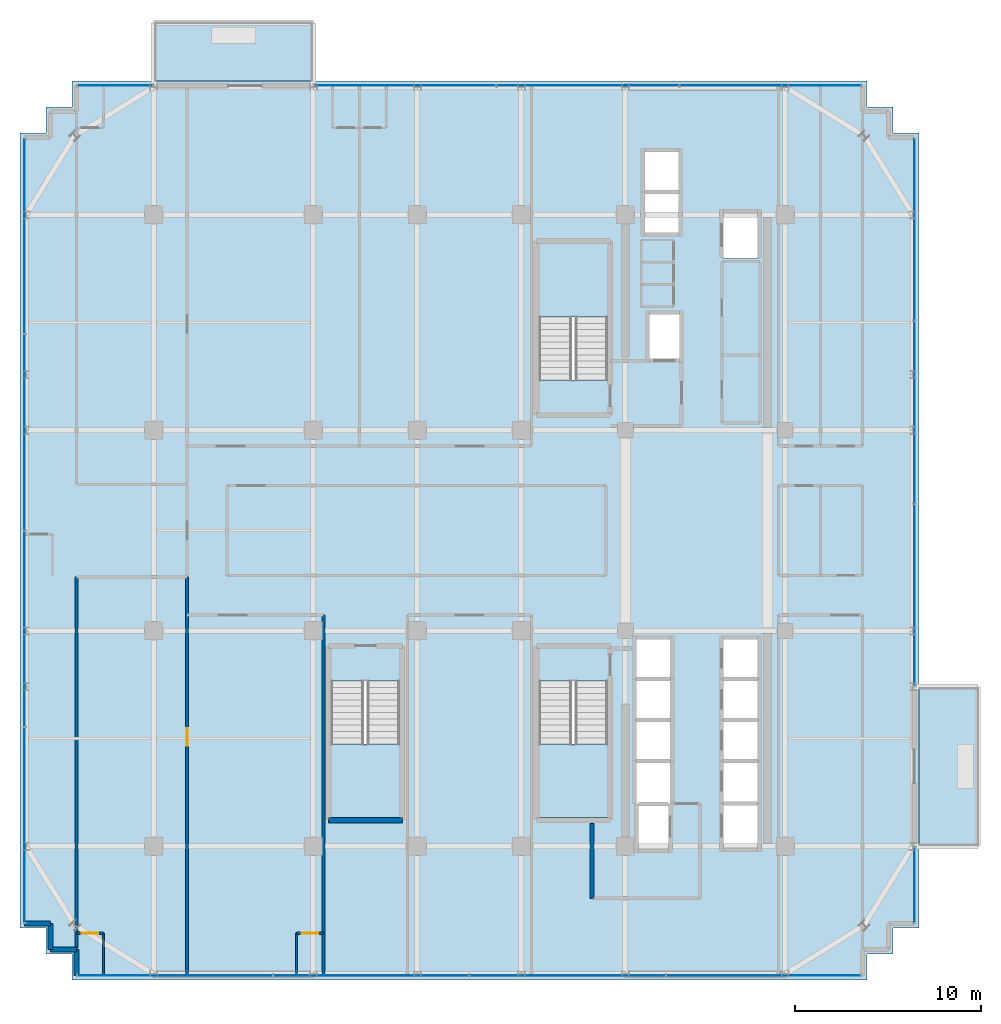
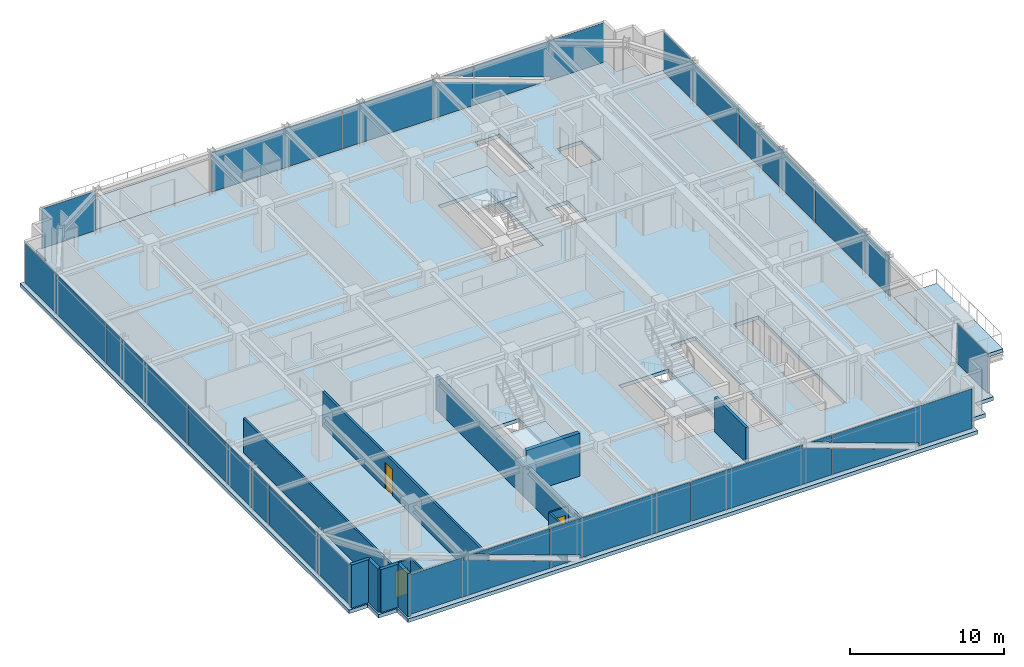
# One storey, part 29 of 36: 16 plates, 13 walls, 6 slabs, 3 doors, 3 openings, 9 elements without a shape of their own.
"""IFC4 building model written with IfcOpenShell, lengths in metres."""

import ifcopenshell
import ifcopenshell.guid

model = None  # the IFC model being written
_history = None  # IfcOwnerHistory: only IFC2X3 demands one
_inside = {}  # id of a spatial element -> (the spatial element, [elements in it])
_under = {}  # id of a project, library or spatial element -> (it, [spatial elements below it])
_declared = {}  # id of a project -> (the project, [libraries it declares])
_typed = {}  # id of a type object -> (the type object, [elements of that type])
_made_of = {}  # id of a material, layer set ... -> (it, [elements and type objects made of it])


def new_model(schema):
    """Start an empty IFC model of exactly this schema.

    Asked for "IFC4X3", IfcOpenShell would pick the latest addendum, in which some entities
    have other attributes; the version numbers below select the first issue.
    IFC2X3 requires an IfcOwnerHistory on every rooted entity: one is made here for all.
    """
    global model, _history
    if schema == "IFC4X3":
        model = ifcopenshell.file(schema_version=(4, 3, 0, 0))
    else:
        model = ifcopenshell.file(schema=schema)
    _inside.clear()
    _under.clear()
    _declared.clear()
    _typed.clear()
    _made_of.clear()
    _history = None
    if model.schema == "IFC2X3":
        org = make("IfcOrganization", Name="unknown")
        user = make(
            "IfcPersonAndOrganization",
            ThePerson=make("IfcPerson", FamilyName="unknown"),
            TheOrganization=org,
        )
        app = make(
            "IfcApplication",
            ApplicationDeveloper=org,
            Version="unknown",
            ApplicationFullName="unknown",
            ApplicationIdentifier="unknown",
        )
        _history = make(
            "IfcOwnerHistory",
            OwningUser=user,
            OwningApplication=app,
            ChangeAction="ADDED",
            CreationDate=0,
        )
    return model


def make(cls, **values):
    """One entity of the class cls with the attributes given. An attribute that is None is left unset."""
    return model.create_entity(
        cls, **{name: value for name, value in values.items() if value is not None}
    )


def rooted(cls, **values):
    """An entity with a GlobalId (a new one), such as an element, a storey or a relation."""
    return make(cls, GlobalId=ifcopenshell.guid.new(), OwnerHistory=_history, **values)


def si_unit(unit_type, name, prefix=None):
    """IfcSIUnit, for example si_unit("LENGTHUNIT", "METRE", prefix="MILLI")."""
    return make("IfcSIUnit", UnitType=unit_type, Prefix=prefix, Name=name)


def assignment(units):
    """IfcUnitAssignment: the units of a project."""
    return None if units is None else make("IfcUnitAssignment", Units=units)


def point(xyz):
    """IfcCartesianPoint."""
    return None if xyz is None else make("IfcCartesianPoint", Coordinates=xyz)


def direction(xyz):
    """IfcDirection."""
    return None if xyz is None else make("IfcDirection", DirectionRatios=xyz)


def frame(location, z_axis=None, x_axis=None):
    """IfcAxis2Placement3D, a coordinate frame: its origin and axes. An axis left out is left unset."""
    return make(
        "IfcAxis2Placement3D",
        Location=point(location),
        Axis=direction(z_axis),
        RefDirection=direction(x_axis),
    )


def frame_2d(location, x_axis=None):
    """IfcAxis2Placement2D, a coordinate frame in the plane: its origin and x axis."""
    return make(
        "IfcAxis2Placement2D", Location=point(location), RefDirection=direction(x_axis)
    )


def origin():
    """The frame at (0, 0, 0) with its axes left unset."""
    return frame((0.0, 0.0, 0.0))


def origin_2d():
    """The frame at (0, 0) in the plane with its x axis left unset."""
    return frame_2d((0.0, 0.0))


def place(relative_to, where):
    """IfcLocalPlacement: puts the frame where relative to a parent placement (None: the world)."""
    return make(
        "IfcLocalPlacement", PlacementRelTo=relative_to, RelativePlacement=where
    )


def context(
    kind, dimensions, precision=None, world=None, true_north=None, identifier=None
):
    """IfcGeometricRepresentationContext, for example the 3D "Model" context."""
    return make(
        "IfcGeometricRepresentationContext",
        ContextIdentifier=identifier,
        ContextType=kind,
        CoordinateSpaceDimension=dimensions,
        Precision=precision,
        WorldCoordinateSystem=world,
        TrueNorth=true_north,
    )


def subcontext(parent, identifier, kind, view, scale=None):
    """IfcGeometricRepresentationSubContext, for example "Body" below "Model"."""
    return make(
        "IfcGeometricRepresentationSubContext",
        ContextIdentifier=identifier,
        ContextType=kind,
        ParentContext=parent,
        TargetScale=scale,
        TargetView=view,
    )


def project(units=None, contexts=None):
    """IfcProject with its units and contexts."""
    return rooted(
        "IfcProject",
        Name="project",
        RepresentationContexts=contexts,
        UnitsInContext=assignment(units),
    )


def spatial(cls, under=None, at=None, **own):
    """A site, building, storey or space (cls), placed at a placement, below another one or the project."""
    s = rooted(cls, ObjectPlacement=at, **own)
    if under is not None:
        _under.setdefault(under.id(), (under, []))[1].append(s)
    return s


def polyline(points):
    """IfcPolyline through the points."""
    return make("IfcPolyline", Points=[point(p) for p in points])


def profile(cls, at=None, kind="AREA", **sizes):
    """A parametric profile (cls). Its sizes go by their IFC names, for example OverallWidth=200.0."""
    return make(cls, ProfileType=kind, Position=at, **sizes)


def rectangle(**sizes):
    """IfcRectangleProfileDef."""
    return profile("IfcRectangleProfileDef", **sizes)


def outline(outer, holes=None, kind="AREA"):
    """IfcArbitraryClosedProfileDef: a profile drawn as a closed curve; with holes, ...WithVoids."""
    if holes is None:
        return make("IfcArbitraryClosedProfileDef", ProfileType=kind, OuterCurve=outer)
    return make(
        "IfcArbitraryProfileDefWithVoids",
        ProfileType=kind,
        OuterCurve=outer,
        InnerCurves=holes,
    )


def extrude(swept, where, along, depth):
    """IfcExtrudedAreaSolid: the profile swept, set in the frame where, extruded along a direction by depth."""
    return make(
        "IfcExtrudedAreaSolid",
        SweptArea=swept,
        Position=where,
        ExtrudedDirection=direction(along),
        Depth=depth,
    )


def shape(context_of_items, identifier, shape_type, items):
    """IfcShapeRepresentation: the items that make up one representation, for example the "Body"."""
    return make(
        "IfcShapeRepresentation",
        ContextOfItems=context_of_items,
        RepresentationIdentifier=identifier,
        RepresentationType=shape_type,
        Items=items,
    )


def source(mapping_origin, context_of_items, identifier, shape_type, items):
    """IfcRepresentationMap: a shape defined once, which mapped items show again and again."""
    return make(
        "IfcRepresentationMap",
        MappingOrigin=mapping_origin,
        MappedRepresentation=shape(context_of_items, identifier, shape_type, items),
    )


def transform(
    local_origin,
    x_axis=None,
    y_axis=None,
    z_axis=None,
    scale=None,
    scale2=None,
    scale3=None,
    uniform=True,
):
    """IfcCartesianTransformationOperator3D, or its non-uniform kind. x_axis, y_axis, z_axis: its Axis1, 2, 3."""
    if uniform:
        return make(
            "IfcCartesianTransformationOperator3D",
            Axis1=direction(x_axis),
            Axis2=direction(y_axis),
            LocalOrigin=point(local_origin),
            Scale=scale,
            Axis3=direction(z_axis),
        )
    return make(
        "IfcCartesianTransformationOperator3DnonUniform",
        Axis1=direction(x_axis),
        Axis2=direction(y_axis),
        LocalOrigin=point(local_origin),
        Scale=scale,
        Axis3=direction(z_axis),
        Scale2=scale2,
        Scale3=scale3,
    )


def mapped(mapping_source, mapping_target):
    """IfcMappedItem: shows the shape of a source again, moved by a transform."""
    return make(
        "IfcMappedItem", MappingSource=mapping_source, MappingTarget=mapping_target
    )


def material(Name=None, Category=None):
    """IfcMaterial."""
    return make("IfcMaterial", Name=Name, Category=Category)


def layer(
    of_material, thickness, ventilated=None, Name=None, Category=None, Priority=None
):
    """IfcMaterialLayer: one layer of a wall or slab, of a material (None: an air gap)."""
    return make(
        "IfcMaterialLayer",
        Material=of_material,
        LayerThickness=thickness,
        IsVentilated=ventilated,
        Name=Name,
        Category=Category,
        Priority=Priority,
    )


def layer_set(layers, Name=None):
    """IfcMaterialLayerSet."""
    return make("IfcMaterialLayerSet", MaterialLayers=layers, LayerSetName=Name)


def made_of(thing, what):
    """Note that an element or type object is made of a material, layer set ...; save() writes the relation."""
    if what is not None:
        _made_of.setdefault(what.id(), (what, []))[1].append(thing)
    return thing


def type_object(cls, material=None, **own):
    """A type object (cls), such as IfcWallType, which elements share."""
    return made_of(rooted(cls, **own), material)


def element(
    cls,
    number,
    at=None,
    inside=None,
    cuts=None,
    type_object=None,
    material=None,
    context=None,
    identifier="Body",
    shape_type=None,
    held_by="IfcProductDefinitionShape",
    body=None,
    shapes=None,
    **own,
):
    """One element of the class cls, such as IfcWall. Its Tag is "e" and its number.

    at: its placement. inside: the storey or other place that contains it. cuts: it is an
    opening in that element (IfcRelVoidsElement). A single representation is given by context,
    identifier, shape_type and body (its items); several are given by shapes. held_by: the class
    of the entity that holds the representations. save() writes the other relations.
    """
    e = rooted(cls, Tag="e%d" % number, ObjectPlacement=at, **own)
    if body is not None:
        shapes = [shape(context, identifier, shape_type, body)]
    if shapes is not None:
        e.Representation = make(held_by, Representations=shapes)
    if inside is not None:
        _inside.setdefault(inside.id(), (inside, []))[1].append(e)
    if cuts is not None:
        rooted(
            "IfcRelVoidsElement", RelatingBuildingElement=cuts, RelatedOpeningElement=e
        )
    if type_object is not None:
        _typed.setdefault(type_object.id(), (type_object, []))[1].append(e)
    return made_of(e, material)


def fill(opening, filler):
    """IfcRelFillsElement: the door or window that sits in an opening."""
    return rooted(
        "IfcRelFillsElement",
        RelatingOpeningElement=opening,
        RelatedBuildingElement=filler,
    )


def aggregate(whole, parts):
    """IfcRelAggregates: a whole, such as a stair, and the parts it consists of."""
    return rooted("IfcRelAggregates", RelatingObject=whole, RelatedObjects=parts)


def save(model, path):
    """Write the relations noted so far, then the file.

    IfcRelAggregates (storeys below a building ...), IfcRelContainedInSpatialStructure (elements
    in a storey), IfcRelDefinesByType, IfcRelAssociatesMaterial and IfcRelDeclares: one each for
    every whole, place, type object, material and project.
    """
    for whole, parts in _under.values():
        aggregate(whole, parts)
    for where, things in _inside.values():
        rooted(
            "IfcRelContainedInSpatialStructure",
            RelatedElements=things,
            RelatingStructure=where,
        )
    for kind, things in _typed.values():
        rooted("IfcRelDefinesByType", RelatedObjects=things, RelatingType=kind)
    for what, things in _made_of.values():
        rooted("IfcRelAssociatesMaterial", RelatedObjects=things, RelatingMaterial=what)
    for by, libraries in _declared.values():
        rooted("IfcRelDeclares", RelatingContext=by, RelatedDefinitions=libraries)
    model.write(path)


model = new_model("IFC4")

# Units and contexts
model_context = context("Model", 3, precision=1e-05, world=origin(), true_north=direction((0.0, 1.0)))
body_context = subcontext(model_context, "Body", "Model", "MODEL_VIEW")
ifc_project = project(units=[si_unit("LENGTHUNIT", "METRE"), si_unit("AREAUNIT", "SQUARE_METRE"), si_unit("VOLUMEUNIT", "CUBIC_METRE"), si_unit("PLANEANGLEUNIT", "RADIAN"), si_unit("MASSUNIT", "GRAM", prefix="KILO")], contexts=[model_context])

# Site, building, storey
site_placement = place(None, origin())
site = spatial("IfcSite", under=ifc_project, at=site_placement, CompositionType="ELEMENT")
building_placement = place(site_placement, origin())
building = spatial("IfcBuilding", under=site, at=building_placement, Name="Nahalor Promenade Grand Hotel", CompositionType="ELEMENT")
storey_placement = place(building_placement, frame((0.0, 0.0, 234.5)))
storey = spatial("IfcBuildingStorey", under=building, at=storey_placement, Name="L60", CompositionType="ELEMENT", Elevation=234.5)

# Curtain wall, plates
ifc_material_1 = material(Name="Anodised Bronze Aluminium EN AW-6063 T6", Category="aluminium")
curtain_wall_type = type_object("IfcCurtainWallType", Name="CW2 Typical Hotel Flush Bronze Unitised Curtain Wall", PredefinedType="USERDEFINED", material=ifc_material_1)
curtain_wall_1_placement = place(storey_placement, origin())
curtain_wall_1 = element("IfcCurtainWall", 1, at=curtain_wall_1_placement, inside=storey, type_object=curtain_wall_type, Name="L60 Curtain Wall CW-L60-S-1", ObjectType="UNITISED_CURTAIN_WALL", PredefinedType="USERDEFINED")
ifc_material_2 = material(Name="Low-E Laminated Solar Glass", Category="glass")
ifc_layer_1 = layer(ifc_material_2, 0.028076171875)
ifc_layer_set_1 = layer_set([ifc_layer_1], Name="Low-E Laminated Solar Glass")
plate_type = type_object("IfcPlateType", Name="CWP2 Bronze Low-E Vision IGU 28mm", PredefinedType="CURTAIN_PANEL", material=ifc_layer_set_1)
plate_1_placement = place(storey_placement, frame((-15.853759765625, -23.9599609375, 0.130126953125), z_axis=(0.0, 0.0, 1.0), x_axis=(1.0, 0.0, 0.0)))
plate_1 = element("IfcPlate", 2, at=plate_1_placement, type_object=plate_type, Name="CW-L60-S-1 Glazing Panel 0-0", PredefinedType="CURTAIN_PANEL", context=body_context, shape_type="SweptSolid", body=[
    extrude(outline(polyline([(-5.2412109375, 0.0), (5.2412109375, 0.0), (5.2412109375, 0.580810546875), (-1.246337890625, 2.927001953125), (-1.16552734375, 3.14990234375), (-5.2412109375, 3.14990234375), (-5.2412109375, 0.0)])), frame((0.0, 0.01416015625, 0.0), z_axis=(0.0, -1.0, 0.0), x_axis=(1.0, 0.0, 0.0)), (0.0, 0.0, 1.0), 0.028076171875),
    extrude(outline(polyline([(5.2412109375, 1.059326171875), (5.2412109375, 3.14990234375), (-0.5400390625, 3.14990234375), (5.2412109375, 1.059326171875)])), frame((0.0, 0.01416015625, 0.0), z_axis=(0.0, -1.0, 0.0), x_axis=(1.0, 0.0, 0.0)), (0.0, 0.0, 1.0), 0.028076171875),
])
plate_2_placement = place(storey_placement, frame((-5.2900390625, -23.9599609375, 0.130126953125), z_axis=(0.0, 0.0, 1.0), x_axis=(1.0, 0.0, 0.0)))
plate_2 = element("IfcPlate", 3, at=plate_2_placement, type_object=plate_type, Name="CW-L60-S-1 Glazing Panel 1-0", PredefinedType="CURTAIN_PANEL", context=body_context, shape_type="SweptSolid", body=[
    extrude(outline(polyline([(5.257568359375, 3.14990234375), (-5.257568359375, 3.14990234375), (-5.257568359375, 1.035888671875), (-3.010009765625, 0.22314453125), (-3.090576171875, 0.0), (5.257568359375, 0.0), (5.257568359375, 3.14990234375)])), frame((0.0, 0.01416015625, 0.0), z_axis=(0.0, -1.0, 0.0), x_axis=(1.0, 0.0, 0.0)), (0.0, 0.0, 1.0), 0.028076171875),
    extrude(outline(polyline([(-5.257568359375, 0.557373046875), (-5.257568359375, 0.0), (-3.71630859375, 0.0), (-5.257568359375, 0.557373046875)])), frame((0.0, 0.01416015625, 0.0), z_axis=(0.0, -1.0, 0.0), x_axis=(1.0, 0.0, 0.0)), (0.0, 0.0, 1.0), 0.028076171875),
])
plate_3_placement = place(storey_placement, frame((5.2900390625, -23.9599609375, 0.130126953125), z_axis=(0.0, 0.0, 1.0), x_axis=(1.0, 0.0, 0.0)))
plate_3 = element("IfcPlate", 4, at=plate_3_placement, type_object=plate_type, Name="CW-L60-S-1 Glazing Panel 2-0", PredefinedType="CURTAIN_PANEL", context=body_context, shape_type="SweptSolid", body=[
    extrude(outline(polyline([(-5.257568359375, 0.0), (5.257568359375, 0.0), (5.257568359375, 2.1142578125), (3.010009765625, 2.927001953125), (3.090576171875, 3.14990234375), (-5.257568359375, 3.14990234375), (-5.257568359375, 0.0)])), frame((0.0, 0.01416015625, 0.0), z_axis=(0.0, -1.0, 0.0), x_axis=(1.0, 0.0, 0.0)), (0.0, 0.0, 1.0), 0.028076171875),
    extrude(outline(polyline([(5.257568359375, 2.5927734375), (5.257568359375, 3.14990234375), (3.71630859375, 3.14990234375), (5.257568359375, 2.5927734375)])), frame((0.0, 0.01416015625, 0.0), z_axis=(0.0, -1.0, 0.0), x_axis=(1.0, 0.0, 0.0)), (0.0, 0.0, 1.0), 0.028076171875),
])
plate_4_placement = place(storey_placement, frame((15.853759765625, -23.9599609375, 0.130126953125), z_axis=(0.0, 0.0, 1.0), x_axis=(1.0, 0.0, 0.0)))
plate_4 = element("IfcPlate", 5, at=plate_4_placement, type_object=plate_type, Name="CW-L60-S-1 Glazing Panel 3-0", PredefinedType="CURTAIN_PANEL", context=body_context, shape_type="SweptSolid", body=[
    extrude(outline(polyline([(5.2412109375, 3.14990234375), (-5.2412109375, 3.14990234375), (-5.2412109375, 2.569091796875), (1.246337890625, 0.22314453125), (1.16552734375, 0.0), (5.2412109375, 0.0), (5.2412109375, 3.14990234375)])), frame((0.0, 0.01416015625, 0.0), z_axis=(0.0, -1.0, 0.0), x_axis=(1.0, 0.0, 0.0)), (0.0, 0.0, 1.0), 0.028076171875),
    extrude(outline(polyline([(-5.2412109375, 2.090576171875), (-5.2412109375, 0.0), (0.5400390625, 0.0), (-5.2412109375, 2.090576171875)])), frame((0.0, 0.01416015625, 0.0), z_axis=(0.0, -1.0, 0.0), x_axis=(1.0, 0.0, 0.0)), (0.0, 0.0, 1.0), 0.028076171875),
])
aggregate(curtain_wall_1, [plate_1, plate_2, plate_3, plate_4])

curtain_wall_2_placement = place(storey_placement, origin())
curtain_wall_2 = element("IfcCurtainWall", 6, at=curtain_wall_2_placement, inside=storey, type_object=curtain_wall_type, Name="L60 Curtain Wall CW-L60-N-3", ObjectType="UNITISED_CURTAIN_WALL", PredefinedType="USERDEFINED")
plate_5_placement = place(storey_placement, frame((6.3798828125, 23.9599609375, 0.130126953125), z_axis=(0.0, 0.0, 1.0), x_axis=(1.0, 0.0, 0.0)))
plate_5 = element("IfcPlate", 7, at=plate_5_placement, type_object=plate_type, Name="CW-L60-N-3 Glazing Panel 1-0", PredefinedType="CURTAIN_PANEL", context=body_context, shape_type="SweptSolid", body=[
    extrude(outline(polyline([(-4.894287109375, 0.0), (4.894287109375, 0.0), (4.894287109375, 1.851318359375), (1.919921875, 2.927001953125), (2.000732421875, 3.14990234375), (-4.894287109375, 3.14990234375), (-4.894287109375, 0.0)])), frame((0.0, 0.01416015625, 0.0), z_axis=(0.0, -1.0, 0.0), x_axis=(1.0, 0.0, 0.0)), (0.0, 0.0, 1.0), 0.028076171875),
    extrude(outline(polyline([(4.894287109375, 2.329833984375), (4.894287109375, 3.14990234375), (2.626220703125, 3.14990234375), (4.894287109375, 2.329833984375)])), frame((0.0, 0.01416015625, 0.0), z_axis=(0.0, -1.0, 0.0), x_axis=(1.0, 0.0, 0.0)), (0.0, 0.0, 1.0), 0.028076171875),
])
plate_6_placement = place(storey_placement, frame((16.217041015625, 23.9599609375, 0.130126953125), z_axis=(0.0, 0.0, 1.0), x_axis=(1.0, 0.0, 0.0)))
plate_6 = element("IfcPlate", 8, at=plate_6_placement, type_object=plate_type, Name="CW-L60-N-3 Glazing Panel 2-0", PredefinedType="CURTAIN_PANEL", context=body_context, shape_type="SweptSolid", body=[
    extrude(outline(polyline([(4.8779296875, 3.14990234375), (-4.8779296875, 3.14990234375), (-4.8779296875, 2.306396484375), (0.883056640625, 0.22314453125), (0.80224609375, 0.0), (4.8779296875, 0.0), (4.8779296875, 3.14990234375)])), frame((0.0, 0.01416015625, 0.0), z_axis=(0.0, -1.0, 0.0), x_axis=(1.0, 0.0, 0.0)), (0.0, 0.0, 1.0), 0.028076171875),
    extrude(outline(polyline([(-4.8779296875, 1.827880859375), (-4.8779296875, 0.0), (0.176513671875, 0.0), (-4.8779296875, 1.827880859375)])), frame((0.0, 0.01416015625, 0.0), z_axis=(0.0, -1.0, 0.0), x_axis=(1.0, 0.0, 0.0)), (0.0, 0.0, 1.0), 0.028076171875),
])

# Stair, slab
ifc_material_3 = material(Name="Concrete B-50 (C40/50)", Category="concrete")
stair_type_1 = type_object("IfcStairType", Name="Stair-ST1", PredefinedType="HALF_TURN_STAIR", material=ifc_material_3)
stair_1_placement = place(storey_placement, origin())
stair_1 = element("IfcStair", 9, at=stair_1_placement, inside=storey, type_object=stair_type_1, Name="L60 ST1", PredefinedType="HALF_TURN_STAIR")
ifc_layer_2 = layer(ifc_material_3, 0.199951171875)
ifc_layer_set_2 = layer_set([ifc_layer_2], Name="Concrete B-50 (C40/50)")
slab_type_1 = type_object("IfcSlabType", Name="Landing-ST1", PredefinedType="LANDING", material=ifc_layer_set_2)
slab_1_placement = place(storey_placement, frame((0.0, 0.0, 1.64990234375)))
slab_1 = element("IfcSlab", 10, at=slab_1_placement, type_object=slab_type_1, Name="ST1 landing 1", PredefinedType="LANDING", context=body_context, shape_type="SweptSolid", body=[
    extrude(outline(polyline([(7.449951171875, 11.5), (7.449951171875, 15.449951171875), (3.75, 15.449951171875), (3.75, 11.5), (7.449951171875, 11.5)])), origin(), (0.0, 0.0, 1.0), 0.2001953125),
])
aggregate(stair_1, [slab_1])

stair_type_2 = type_object("IfcStairType", Name="Stair-ST2", PredefinedType="HALF_TURN_STAIR", material=ifc_material_3)
stair_2_placement = place(storey_placement, origin())
stair_2 = element("IfcStair", 11, at=stair_2_placement, inside=storey, type_object=stair_type_2, Name="L60 ST2", PredefinedType="HALF_TURN_STAIR")
ifc_layer_3 = layer(ifc_material_3, 0.2099609375)
ifc_layer_set_3 = layer_set([ifc_layer_3], Name="Concrete B-50 (C40/50)")
slab_type_2 = type_object("IfcSlabType", Name="Landing-ST2", PredefinedType="LANDING", material=ifc_layer_set_3)
slab_2_placement = place(storey_placement, frame((0.0, 0.0, 1.639892578125)))
slab_2 = element("IfcSlab", 12, at=slab_2_placement, type_object=slab_type_2, Name="ST2 landing 1", PredefinedType="LANDING", context=body_context, shape_type="SweptSolid", body=[
    extrude(outline(polyline([(3.75, -11.5), (3.75, -15.449951171875), (7.449951171875, -15.449951171875), (7.449951171875, -11.5), (3.75, -11.5)])), origin(), (0.0, 0.0, 1.0), 0.210205078125),
])
aggregate(stair_2, [slab_2])

stair_type_3 = type_object("IfcStairType", Name="Stair-ST3", PredefinedType="HALF_TURN_STAIR", material=ifc_material_3)
stair_3_placement = place(storey_placement, origin())
stair_3 = element("IfcStair", 13, at=stair_3_placement, inside=storey, type_object=stair_type_3, Name="L60 ST3", PredefinedType="HALF_TURN_STAIR")
ifc_layer_4 = layer(ifc_material_3, 0.219970703125)
ifc_layer_set_4 = layer_set([ifc_layer_4], Name="Concrete B-50 (C40/50)")
slab_type_3 = type_object("IfcSlabType", Name="Landing-ST3", PredefinedType="LANDING", material=ifc_layer_set_4)
slab_3_placement = place(storey_placement, frame((0.0, 0.0, 1.6298828125)))
slab_3 = element("IfcSlab", 14, at=slab_3_placement, type_object=slab_type_3, Name="ST3 landing 1", PredefinedType="LANDING", context=body_context, shape_type="SweptSolid", body=[
    extrude(outline(polyline([(-7.449951171875, -11.5), (-7.449951171875, -15.449951171875), (-3.75, -15.449951171875), (-3.75, -11.5), (-7.449951171875, -11.5)])), origin(), (0.0, 0.0, 1.0), 0.22021484375),
])
aggregate(stair_3, [slab_3])

# Slabs
ifc_layer_5 = layer(ifc_material_3, 0.280029296875)
ifc_layer_set_5 = layer_set([ifc_layer_5], Name="Concrete B-50 (C40/50)")
slab_type_4 = type_object("IfcSlabType", Name="Slab-Balcony-280", PredefinedType="FLOOR", material=ifc_layer_set_5)
slab_4_placement = place(storey_placement, frame((0.0, 0.0, -0.280029296875)))
element("IfcSlab", 15, at=slab_4_placement, inside=storey, type_object=slab_type_4, Name="L60 Cantilevered Planted Balcony 1", PredefinedType="FLOOR", context=body_context, shape_type="SweptSolid", body=[
    extrude(outline(polyline([(-17.0, 24.199951171875), (-8.39990234375, 24.199951171875), (-8.39990234375, 27.419921875), (-17.0, 27.419921875), (-17.0, 24.199951171875)])), origin(), (0.0, 0.0, 1.0), 0.280029296875),
])
slab_5_placement = place(storey_placement, frame((0.0, 0.0, -0.280029296875)))
element("IfcSlab", 16, at=slab_5_placement, inside=storey, type_object=slab_type_4, Name="L60 Cantilevered Planted Balcony 2", PredefinedType="FLOOR", context=body_context, shape_type="SweptSolid", body=[
    extrude(outline(polyline([(24.199951171875, -17.0), (27.449951171875, -17.0), (27.449951171875, -8.39990234375), (24.199951171875, -8.39990234375), (24.199951171875, -17.0)])), origin(), (0.0, 0.0, 1.0), 0.280029296875),
])
ifc_layer_6 = layer(ifc_material_3, 0.2900390625)
ifc_layer_set_6 = layer_set([ifc_layer_6], Name="Concrete B-50 (C40/50)")
slab_type_5 = type_object("IfcSlabType", Name="Slab-TowerZ4-290", PredefinedType="FLOOR", material=ifc_layer_set_6)
slab_6_placement = place(storey_placement, frame((0.0, 0.0, -0.2900390625)))
element("IfcSlab", 17, at=slab_6_placement, inside=storey, type_object=slab_type_5, Name="L60 Suspended Structural Floor Slab", PredefinedType="FLOOR", context=body_context, shape_type="SweptSolid", body=[
    extrude(outline(polyline([(-21.39990234375, -24.199951171875), (21.39990234375, -24.199951171875), (21.39990234375, -22.800048828125), (22.800048828125, -22.800048828125), (22.800048828125, -21.39990234375), (24.199951171875, -21.39990234375), (24.199951171875, 21.39990234375), (22.800048828125, 21.39990234375), (22.800048828125, 22.800048828125), (21.39990234375, 22.800048828125), (21.39990234375, 24.199951171875), (-21.39990234375, 24.199951171875), (-21.39990234375, 22.800048828125), (-22.800048828125, 22.800048828125), (-22.800048828125, 21.39990234375), (-24.199951171875, 21.39990234375), (-24.199951171875, -21.39990234375), (-22.800048828125, -21.39990234375), (-22.800048828125, -22.800048828125), (-21.39990234375, -22.800048828125), (-21.39990234375, -24.199951171875)]), holes=[polyline([(3.75, 8.10009765625), (7.449951171875, 8.10009765625), (7.449951171875, 15.449951171875), (3.75, 15.449951171875), (3.75, 8.10009765625)]), polyline([(3.75, -15.449951171875), (7.449951171875, -15.449951171875), (7.449951171875, -8.10009765625), (3.75, -8.10009765625), (3.75, -15.449951171875)]), polyline([(-7.449951171875, -15.449951171875), (-3.75, -15.449951171875), (-3.75, -8.10009765625), (-7.449951171875, -8.10009765625), (-7.449951171875, -15.449951171875)]), polyline([(13.659912109375, -17.139892578125), (15.5400390625, -17.139892578125), (15.5400390625, -5.81005859375), (13.659912109375, -5.81005859375), (13.659912109375, -17.139892578125)]), polyline([(8.9599609375, -17.18994140625), (10.840087890625, -17.18994140625), (10.840087890625, -5.81005859375), (8.9599609375, -5.81005859375), (8.9599609375, -17.18994140625)]), polyline([(9.409912109375, 16.010009765625), (11.2900390625, 16.010009765625), (11.2900390625, 20.43994140625), (9.409912109375, 20.43994140625), (9.409912109375, 16.010009765625)]), polyline([(9.659912109375, 9.2099609375), (11.340087890625, 9.2099609375), (11.340087890625, 11.68994140625), (9.659912109375, 11.68994140625), (9.659912109375, 9.2099609375)]), polyline([(13.659912109375, 14.659912109375), (15.5400390625, 14.659912109375), (15.5400390625, 17.139892578125), (13.659912109375, 17.139892578125), (13.659912109375, 14.659912109375)])]), origin(), (0.0, 0.0, 1.0), 0.2900390625),
])

# Curtain wall, plates
curtain_wall_3_placement = place(storey_placement, origin())
curtain_wall_3 = element("IfcCurtainWall", 18, at=curtain_wall_3_placement, inside=storey, type_object=curtain_wall_type, Name="L60 Curtain Wall CW-L60-W-1", ObjectType="UNITISED_CURTAIN_WALL", PredefinedType="USERDEFINED")
shared_shape_1 = source(origin(), body_context, "Body", "SweptSolid", [
    extrude(rectangle(XDim=10.482421875, YDim=0.028076171875, at=origin_2d()), origin(), (0.0, 0.0, 1.0), 3.14990234375),
])
plate_7_placement = place(storey_placement, frame((-23.9599609375, -15.853759765625, 0.130126953125), z_axis=(0.0, 0.0, 1.0), x_axis=(0.0, 1.0, 0.0)))
plate_7 = element("IfcPlate", 19, at=plate_7_placement, type_object=plate_type, Name="CW-L60-W-1 Glazing Panel 0-0", PredefinedType="CURTAIN_PANEL", context=body_context, shape_type="MappedRepresentation", body=[
    mapped(shared_shape_1, transform((0.0, 0.0, 0.0), scale=1.0)),
])
plate_8_placement = place(storey_placement, frame((-23.9599609375, 15.853759765625, 0.130126953125), z_axis=(0.0, 0.0, 1.0), x_axis=(0.0, 1.0, 0.0)))
plate_8 = element("IfcPlate", 20, at=plate_8_placement, type_object=plate_type, Name="CW-L60-W-1 Glazing Panel 3-0", PredefinedType="CURTAIN_PANEL", context=body_context, shape_type="MappedRepresentation", body=[
    mapped(shared_shape_1, transform((0.0, 0.0, 0.0), scale=1.0)),
])
shared_shape_2 = source(origin(), body_context, "Body", "SweptSolid", [
    extrude(rectangle(XDim=10.514892578125, YDim=0.028076171875, at=origin_2d()), origin(), (0.0, 0.0, 1.0), 3.14990234375),
])
plate_9_placement = place(storey_placement, frame((-23.9599609375, -5.2900390625, 0.130126953125), z_axis=(0.0, 0.0, 1.0), x_axis=(0.0, 1.0, 0.0)))
plate_9 = element("IfcPlate", 21, at=plate_9_placement, type_object=plate_type, Name="CW-L60-W-1 Glazing Panel 1-0", PredefinedType="CURTAIN_PANEL", context=body_context, shape_type="MappedRepresentation", body=[
    mapped(shared_shape_2, transform((0.0, 0.0, 0.0), scale=1.0)),
])
plate_10_placement = place(storey_placement, frame((-23.9599609375, 5.2900390625, 0.130126953125), z_axis=(0.0, 0.0, 1.0), x_axis=(0.0, 1.0, 0.0)))
plate_10 = element("IfcPlate", 22, at=plate_10_placement, type_object=plate_type, Name="CW-L60-W-1 Glazing Panel 2-0", PredefinedType="CURTAIN_PANEL", context=body_context, shape_type="MappedRepresentation", body=[
    mapped(shared_shape_2, transform((0.0, 0.0, 0.0), scale=1.0)),
])
aggregate(curtain_wall_3, [plate_7, plate_9, plate_10, plate_8])

# Curtain wall, plate
curtain_wall_4_placement = place(storey_placement, origin())
curtain_wall_4 = element("IfcCurtainWall", 23, at=curtain_wall_4_placement, inside=storey, type_object=curtain_wall_type, Name="L60 Curtain Wall CW-L60-N-1", ObjectType="UNITISED_CURTAIN_WALL", PredefinedType="USERDEFINED")
shared_shape_3 = source(origin(), body_context, "Body", "SweptSolid", [
    extrude(rectangle(XDim=4.030029296875, YDim=0.028076171875, at=origin_2d()), origin(), (0.0, 0.0, 1.0), 3.14990234375),
])
plate_11_placement = place(storey_placement, frame((-19.080078125, 23.9599609375, 0.130126953125), z_axis=(0.0, 0.0, 1.0), x_axis=(1.0, 0.0, 0.0)))
plate_11 = element("IfcPlate", 24, at=plate_11_placement, type_object=plate_type, Name="CW-L60-N-1 Glazing Panel 0-0", PredefinedType="CURTAIN_PANEL", context=body_context, shape_type="MappedRepresentation", body=[
    mapped(shared_shape_3, transform((0.0, 0.0, 0.0), scale=1.0)),
])
aggregate(curtain_wall_4, [plate_11])

curtain_wall_5_placement = place(storey_placement, origin())
curtain_wall_5 = element("IfcCurtainWall", 25, at=curtain_wall_5_placement, inside=storey, type_object=curtain_wall_type, Name="L60 Curtain Wall CW-L60-E-1", ObjectType="UNITISED_CURTAIN_WALL", PredefinedType="USERDEFINED")
plate_12_placement = place(storey_placement, frame((23.9599609375, -19.080078125, 0.130126953125), z_axis=(0.0, 0.0, 1.0), x_axis=(0.0, 1.0, 0.0)))
plate_12 = element("IfcPlate", 26, at=plate_12_placement, type_object=plate_type, Name="CW-L60-E-1 Glazing Panel 0-0", PredefinedType="CURTAIN_PANEL", context=body_context, shape_type="MappedRepresentation", body=[
    mapped(shared_shape_3, transform((0.0, 0.0, 0.0), scale=1.0)),
])
aggregate(curtain_wall_5, [plate_12])

# Plate
shared_shape_4 = source(origin(), body_context, "Body", "SweptSolid", [
    extrude(rectangle(XDim=9.755859375, YDim=0.028076171875, at=origin_2d()), origin(), (0.0, 0.0, 1.0), 3.14990234375),
])
plate_13_placement = place(storey_placement, frame((-3.45703125, 23.9599609375, 0.130126953125), z_axis=(0.0, 0.0, 1.0), x_axis=(1.0, 0.0, 0.0)))
plate_13 = element("IfcPlate", 27, at=plate_13_placement, type_object=plate_type, Name="CW-L60-N-3 Glazing Panel 0-0", PredefinedType="CURTAIN_PANEL", context=body_context, shape_type="MappedRepresentation", body=[
    mapped(shared_shape_4, transform((0.0, 0.0, 0.0), scale=1.0)),
])

aggregate(curtain_wall_2, [plate_13, plate_5, plate_6])

# Curtain wall, plates
curtain_wall_6_placement = place(storey_placement, origin())
curtain_wall_6 = element("IfcCurtainWall", 28, at=curtain_wall_6_placement, inside=storey, type_object=curtain_wall_type, Name="L60 Curtain Wall CW-L60-E-3", ObjectType="UNITISED_CURTAIN_WALL", PredefinedType="USERDEFINED")
plate_14_placement = place(storey_placement, frame((23.9599609375, -3.45703125, 0.130126953125), z_axis=(0.0, 0.0, 1.0), x_axis=(0.0, 1.0, 0.0)))
plate_14 = element("IfcPlate", 29, at=plate_14_placement, type_object=plate_type, Name="CW-L60-E-3 Glazing Panel 0-0", PredefinedType="CURTAIN_PANEL", context=body_context, shape_type="MappedRepresentation", body=[
    mapped(shared_shape_4, transform((0.0, 0.0, 0.0), scale=1.0)),
])
plate_15_placement = place(storey_placement, frame((23.9599609375, 16.217041015625, 0.130126953125), z_axis=(0.0, 0.0, 1.0), x_axis=(0.0, 1.0, 0.0)))
plate_15 = element("IfcPlate", 30, at=plate_15_placement, type_object=plate_type, Name="CW-L60-E-3 Glazing Panel 2-0", PredefinedType="CURTAIN_PANEL", context=body_context, shape_type="MappedRepresentation", body=[
    mapped(shared_shape_4, transform((0.0, 0.0, 0.0), scale=1.0)),
])
shared_shape_5 = source(origin(), body_context, "Body", "SweptSolid", [
    extrude(rectangle(XDim=9.788330078125, YDim=0.028076171875, at=origin_2d()), origin(), (0.0, 0.0, 1.0), 3.14990234375),
])
plate_16_placement = place(storey_placement, frame((23.9599609375, 6.3798828125, 0.130126953125), z_axis=(0.0, 0.0, 1.0), x_axis=(0.0, 1.0, 0.0)))
plate_16 = element("IfcPlate", 31, at=plate_16_placement, type_object=plate_type, Name="CW-L60-E-3 Glazing Panel 1-0", PredefinedType="CURTAIN_PANEL", context=body_context, shape_type="MappedRepresentation", body=[
    mapped(shared_shape_5, transform((0.0, 0.0, 0.0), scale=1.0)),
])
aggregate(curtain_wall_6, [plate_14, plate_16, plate_15])

# Walls
ifc_layer_7 = layer(ifc_material_3, 0.300048828125)
ifc_layer_set_7 = layer_set([ifc_layer_7], Name="Concrete B-50 (C40/50)")
wall_type_1 = type_object("IfcWallType", Name="Wall-ShaftShear-300", PredefinedType="SHEAR", material=ifc_layer_set_7)
shared_shape_6 = source(origin(), body_context, "Body", "SweptSolid", [
    extrude(rectangle(XDim=3.97998046875, YDim=0.300048828125, at=frame_2d((1.989990234375, 0.0))), origin(), (0.0, 0.0, 1.0), 3.409912109375),
])
wall_1_placement = place(storey_placement, frame((-7.590087890625, -15.590087890625, 0.0), z_axis=(0.0, 0.0, 1.0), x_axis=(1.0, 0.0, 0.0)))
element("IfcWall", 32, at=wall_1_placement, inside=storey, type_object=wall_type_1, Name="L60 Exit Stair ST3 Shaft Wall S", PredefinedType="SHEAR", context=body_context, shape_type="MappedRepresentation", body=[
    mapped(shared_shape_6, transform((0.0, 0.0, 0.0), scale=1.0)),
])
ifc_material_4 = material(Name="Concrete B-40 (C32/40)", Category="concrete")
ifc_layer_8 = layer(ifc_material_4, 0.25)
ifc_layer_set_8 = layer_set([ifc_layer_8], Name="Concrete B-40 (C32/40)")
wall_type_2 = type_object("IfcWallType", Name="Wall-BronzePier-250", PredefinedType="STANDARD", material=ifc_layer_set_8)
shared_shape_7 = source(origin(), body_context, "Body", "SweptSolid", [
    extrude(rectangle(XDim=1.39990234375, YDim=0.25, at=frame_2d((0.699951171875, 0.0))), origin(), (0.0, 0.0, 1.0), 3.409912109375),
])
for number, where, z_axis, x_axis, name in (
    (33, (-23.9599609375, -21.159912109375, 0.0), (0.0, 0.0, 1.0), (1.0, 0.0, 0.0), "W-L60-SR-13"),
    (34, (-21.159912109375, -23.9599609375, 0.0), (0.0, 0.0, 1.0), (0.0, 1.0, 0.0), "W-L60-SR-16"),
):
    element("IfcWall", number, at=place(storey_placement, frame(where, z_axis=z_axis, x_axis=x_axis)), inside=storey, type_object=wall_type_2, Name=name, PredefinedType="STANDARD", context=body_context, shape_type="MappedRepresentation", body=[
        mapped(shared_shape_7, transform((0.0, 0.0, 0.0), scale=1.0)),
    ])
shared_shape_8 = source(origin(), body_context, "Body", "SweptSolid", [
    extrude(rectangle(XDim=1.400146484375, YDim=0.25, at=frame_2d((0.7001953125, 0.0))), origin(), (0.0, 0.0, 1.0), 3.409912109375),
])
for number, where, z_axis, x_axis, name in (
    (35, (-22.56005859375, -22.56005859375, 0.0), (0.0, 0.0, 1.0), (0.0, 1.0, 0.0), "W-L60-SR-14"),
    (36, (-22.56005859375, -22.56005859375, 0.0), (0.0, 0.0, 1.0), (1.0, 0.0, 0.0), "W-L60-SR-15"),
):
    element("IfcWall", number, at=place(storey_placement, frame(where, z_axis=z_axis, x_axis=x_axis)), inside=storey, type_object=wall_type_2, Name=name, PredefinedType="STANDARD", context=body_context, shape_type="MappedRepresentation", body=[
        mapped(shared_shape_8, transform((0.0, 0.0, 0.0), scale=1.0)),
    ])
ifc_layer_9 = layer(ifc_material_4, 0.199951171875)
ifc_layer_set_9 = layer_set([ifc_layer_9], Name="Concrete B-40 (C32/40)")
wall_type_3 = type_object("IfcWallType", Name="Wall-PartFire-200", PredefinedType="PARTITIONING", material=ifc_layer_set_9)
shared_shape_9 = source(origin(), body_context, "Body", "SweptSolid", [
    extrude(rectangle(XDim=4.030029296875, YDim=0.199951171875, at=frame_2d((2.01513671875, 0.0))), origin(), (0.0, 0.0, 1.0), 2.75),
])
wall_2_placement = place(storey_placement, frame((6.60009765625, -19.800048828125, 0.0), z_axis=(0.0, 0.0, 1.0), x_axis=(0.0, 1.0, 0.0)))
element("IfcWall", 37, at=wall_2_placement, inside=storey, type_object=wall_type_3, Name="W-L60-FF2-W1", PredefinedType="PARTITIONING", context=body_context, shape_type="MappedRepresentation", body=[
    mapped(shared_shape_9, transform((0.0, 0.0, 0.0), scale=1.0)),
])

# Wall, opening, door
ifc_material_5 = material(Name="Acoustic Mineral Gypsum", Category="gypsum")
ifc_layer_10 = layer(ifc_material_5, 0.159912109375)
ifc_layer_set_10 = layer_set([ifc_layer_10], Name="Acoustic Mineral Gypsum")
wall_type_4 = type_object("IfcWallType", Name="Wall-PartCorridor-160", PredefinedType="PARTITIONING", material=ifc_layer_set_10)
shared_shape_10 = source(origin(), body_context, "Body", "SweptSolid", [
    extrude(rectangle(XDim=21.39990234375, YDim=0.159912109375, at=frame_2d((10.699951171875, 0.0))), origin(), (0.0, 0.0, 1.0), 2.75),
])
wall_3_placement = place(storey_placement, frame((-15.199951171875, -23.89990234375, 0.0), z_axis=(0.0, 0.0, 1.0), x_axis=(0.0, 1.0, 0.0)))
wall_3 = element("IfcWall", 38, at=wall_3_placement, inside=storey, type_object=wall_type_4, Name="W-L60-ZSW-E", PredefinedType="PARTITIONING", context=body_context, shape_type="MappedRepresentation", body=[
    mapped(shared_shape_10, transform((0.0, 0.0, 0.0), scale=1.0)),
])
opening_1_placement = place(wall_3_placement, frame((12.300048828125, 0.0, 0.0)))
opening_1 = element("IfcOpeningElement", 39, at=opening_1_placement, cuts=wall_3, Name="Opening D-01", PredefinedType="OPENING", context=body_context, shape_type="SweptSolid", body=[
    extrude(rectangle(XDim=0.949951171875, YDim=2.10009765625, at=frame_2d((0.47509765625, 1.050048828125))), frame((0.0, 0.08984375, 0.0), z_axis=(0.0, -1.0, 0.0), x_axis=(1.0, 0.0, 0.0)), (0.0, 0.0, 1.0), 0.179931640625),
])
ifc_material_6 = material(Name="Fire-Rated Timber Composite", Category="wood")
door_type_1 = type_object("IfcDoorType", Name="Door-GuestEntry-950", OperationType="NOTDEFINED", PredefinedType="DOOR", material=ifc_material_6)
shared_shape_11 = source(origin(), body_context, "Body", "SweptSolid", [
    extrude(rectangle(XDim=0.949951171875, YDim=2.10009765625, at=frame_2d((0.47509765625, 1.050048828125))), frame((0.0, 0.02490234375, 0.0), z_axis=(0.0, -1.0, 0.0), x_axis=(1.0, 0.0, 0.0)), (0.0, 0.0, 1.0), 0.050048828125),
])
door_1_placement = place(opening_1_placement, origin())
door_1 = element("IfcDoor", 40, at=door_1_placement, inside=storey, type_object=door_type_1, Name="DR-L60-SW0-ENT", OperationType="SINGLE_SWING_RIGHT", OverallHeight=2.10009765625, OverallWidth=0.949951171875, PredefinedType="DOOR", context=body_context, shape_type="MappedRepresentation", body=[
    mapped(shared_shape_11, transform((0.0, 0.0, 0.0), scale=1.0)),
])
fill(opening_1, door_1)

# Wall
ifc_layer_11 = layer(ifc_material_5, 0.139892578125)
ifc_layer_set_11 = layer_set([ifc_layer_11], Name="Acoustic Mineral Gypsum")
wall_type_5 = type_object("IfcWallType", Name="Wall-PartSuite-140", PredefinedType="PARTITIONING", material=ifc_layer_set_11)
shared_shape_12 = source(origin(), body_context, "Body", "SweptSolid", [
    extrude(rectangle(XDim=19.97998046875, YDim=0.139892578125, at=frame_2d((9.989990234375, 0.0))), origin(), (0.0, 0.0, 1.0), 2.75),
])
wall_4_placement = place(storey_placement, frame((-21.159912109375, -22.47998046875, 0.0), z_axis=(0.0, 0.0, 1.0), x_axis=(0.0, 1.0, 0.0)))
element("IfcWall", 41, at=wall_4_placement, inside=storey, type_object=wall_type_5, Name="W-L60-ZSW-W", PredefinedType="PARTITIONING", context=body_context, shape_type="MappedRepresentation", body=[
    mapped(shared_shape_12, transform((0.0, 0.0, 0.0), scale=1.0)),
])

# Wall, opening, door
ifc_layer_12 = layer(ifc_material_5, 0.1201171875)
ifc_layer_set_12 = layer_set([ifc_layer_12], Name="Acoustic Mineral Gypsum")
wall_type_6 = type_object("IfcWallType", Name="Wall-PartBath-120", PredefinedType="PARTITIONING", material=ifc_layer_set_12)
shared_shape_13 = source(origin(), body_context, "Body", "SweptSolid", [
    extrude(rectangle(XDim=1.449951171875, YDim=0.1201171875, at=frame_2d((0.72509765625, 0.0))), origin(), (0.0, 0.0, 1.0), 2.75),
])
wall_5_placement = place(storey_placement, frame((-21.159912109375, -21.679931640625, 0.0), z_axis=(0.0, 0.0, 1.0), x_axis=(1.0, 0.0, 0.0)))
wall_5 = element("IfcWall", 42, at=wall_5_placement, inside=storey, type_object=wall_type_6, Name="W-L60-SW0-BH", PredefinedType="PARTITIONING", context=body_context, shape_type="MappedRepresentation", body=[
    mapped(shared_shape_13, transform((0.0, 0.0, 0.0), scale=1.0)),
])
opening_2_placement = place(wall_5_placement, frame((0.284912109375, 0.0, 0.0)))
opening_2 = element("IfcOpeningElement", 43, at=opening_2_placement, cuts=wall_5, Name="Opening D-03", PredefinedType="OPENING", context=body_context, shape_type="SweptSolid", body=[
    extrude(rectangle(XDim=0.8798828125, YDim=2.10009765625, at=frame_2d((0.43994140625, 1.050048828125))), frame((0.0, 0.070068359375, 0.0), z_axis=(0.0, -1.0, 0.0), x_axis=(1.0, 0.0, 0.0)), (0.0, 0.0, 1.0), 0.14013671875),
])
door_type_2 = type_object("IfcDoorType", Name="Door-BathSwing-880", OperationType="NOTDEFINED", PredefinedType="DOOR", material=ifc_material_6)
shared_shape_14 = source(origin(), body_context, "Body", "SweptSolid", [
    extrude(rectangle(XDim=0.8798828125, YDim=2.10009765625, at=frame_2d((0.43994140625, 1.050048828125))), frame((0.0, 0.02490234375, 0.0), z_axis=(0.0, -1.0, 0.0), x_axis=(1.0, 0.0, 0.0)), (0.0, 0.0, 1.0), 0.050048828125),
])
door_2_placement = place(opening_2_placement, frame((0.8798828125, 0.0, 0.0), z_axis=(0.0, 0.0, 1.0), x_axis=(-1.0, 0.0, 0.0)))
door_2 = element("IfcDoor", 44, at=door_2_placement, inside=storey, type_object=door_type_2, Name="DR-L60-SW0-BATH", OperationType="SINGLE_SWING_LEFT", OverallHeight=2.10009765625, OverallWidth=0.8798828125, PredefinedType="DOOR", context=body_context, shape_type="MappedRepresentation", body=[
    mapped(shared_shape_14, transform((0.0, 0.0, 0.0), scale=1.0)),
])
fill(opening_2, door_2)

wall_6_placement = place(storey_placement, frame((-9.31005859375, -21.679931640625, 0.0), z_axis=(0.0, 0.0, 1.0), x_axis=(1.0, 0.0, 0.0)))
wall_6 = element("IfcWall", 45, at=wall_6_placement, inside=storey, type_object=wall_type_6, Name="W-L60-S1-BH", PredefinedType="PARTITIONING", context=body_context, shape_type="MappedRepresentation", body=[
    mapped(shared_shape_13, transform((0.0, 0.0, 0.0), scale=1.0)),
])
opening_3_placement = place(wall_6_placement, frame((0.284912109375, 0.0, 0.0)))
opening_3 = element("IfcOpeningElement", 46, at=opening_3_placement, cuts=wall_6, Name="Opening D-03", PredefinedType="OPENING", context=body_context, shape_type="SweptSolid", body=[
    extrude(rectangle(XDim=0.8798828125, YDim=2.10009765625, at=frame_2d((0.43994140625, 1.050048828125))), frame((0.0, 0.070068359375, 0.0), z_axis=(0.0, -1.0, 0.0), x_axis=(1.0, 0.0, 0.0)), (0.0, 0.0, 1.0), 0.14013671875),
])
door_3_placement = place(opening_3_placement, frame((0.8798828125, 0.0, 0.0), z_axis=(0.0, 0.0, 1.0), x_axis=(-1.0, 0.0, 0.0)))
door_3 = element("IfcDoor", 47, at=door_3_placement, inside=storey, type_object=door_type_2, Name="DR-L60-S1-BATH", OperationType="SINGLE_SWING_LEFT", OverallHeight=2.10009765625, OverallWidth=0.8798828125, PredefinedType="DOOR", context=body_context, shape_type="MappedRepresentation", body=[
    mapped(shared_shape_14, transform((0.0, 0.0, 0.0), scale=1.0)),
])
fill(opening_3, door_3)

# Walls
shared_shape_15 = source(origin(), body_context, "Body", "SweptSolid", [
    extrude(rectangle(XDim=2.219970703125, YDim=0.1201171875, at=frame_2d((1.10986328125, 0.0))), origin(), (0.0, 0.0, 1.0), 2.75),
])
for number, where, z_axis, x_axis, name in (
    (48, (-19.7099609375, -23.89990234375, 0.0), (0.0, 0.0, 1.0), (0.0, 1.0, 0.0), "W-L60-SW0-BV"),
    (49, (-9.31005859375, -23.89990234375, 0.0), (0.0, 0.0, 1.0), (0.0, 1.0, 0.0), "W-L60-S1-BV"),
):
    element("IfcWall", number, at=place(storey_placement, frame(where, z_axis=z_axis, x_axis=x_axis)), inside=storey, type_object=wall_type_6, Name=name, PredefinedType="PARTITIONING", context=body_context, shape_type="MappedRepresentation", body=[
        mapped(shared_shape_15, transform((0.0, 0.0, 0.0), scale=1.0)),
    ])
shared_shape_16 = source(origin(), body_context, "Body", "SweptSolid", [
    extrude(rectangle(XDim=19.349853515625, YDim=0.139892578125, at=frame_2d((9.6748046875, 0.0))), origin(), (0.0, 0.0, 1.0), 2.75),
])
wall_7_placement = place(storey_placement, frame((-7.860107421875, -23.89990234375, 0.0), z_axis=(0.0, 0.0, 1.0), x_axis=(0.0, 1.0, 0.0)))
element("IfcWall", 50, at=wall_7_placement, inside=storey, type_object=wall_type_5, Name="W-L60-SW-ENDE", PredefinedType="PARTITIONING", context=body_context, shape_type="MappedRepresentation", body=[
    mapped(shared_shape_16, transform((0.0, 0.0, 0.0), scale=1.0)),
])

save(model, "model.ifc")
